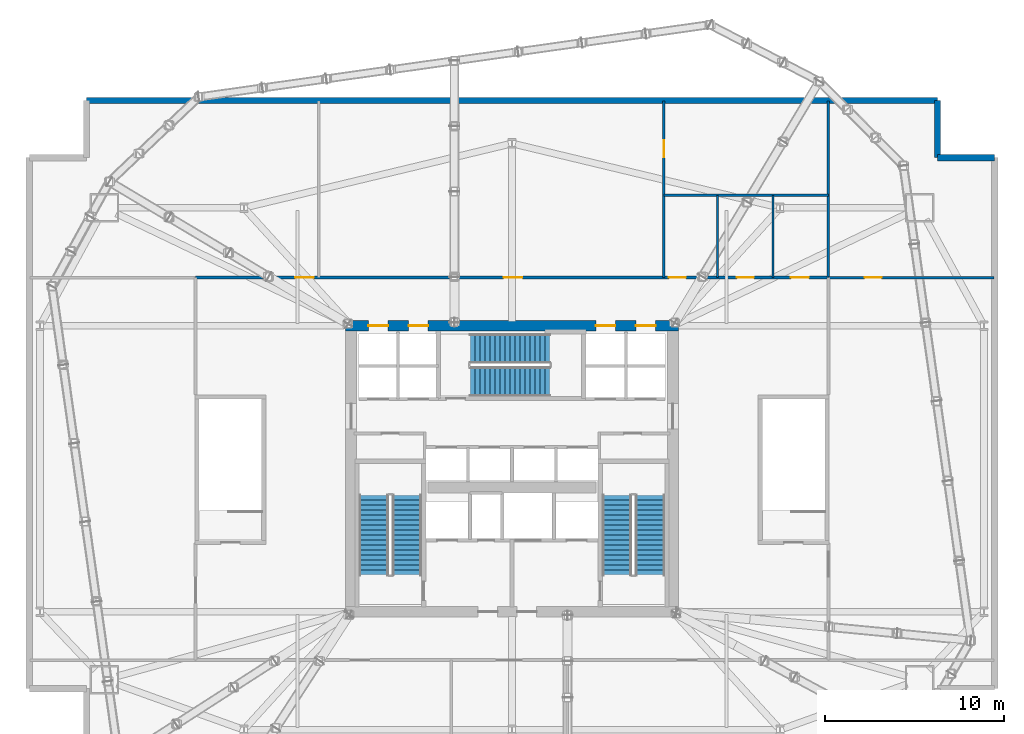
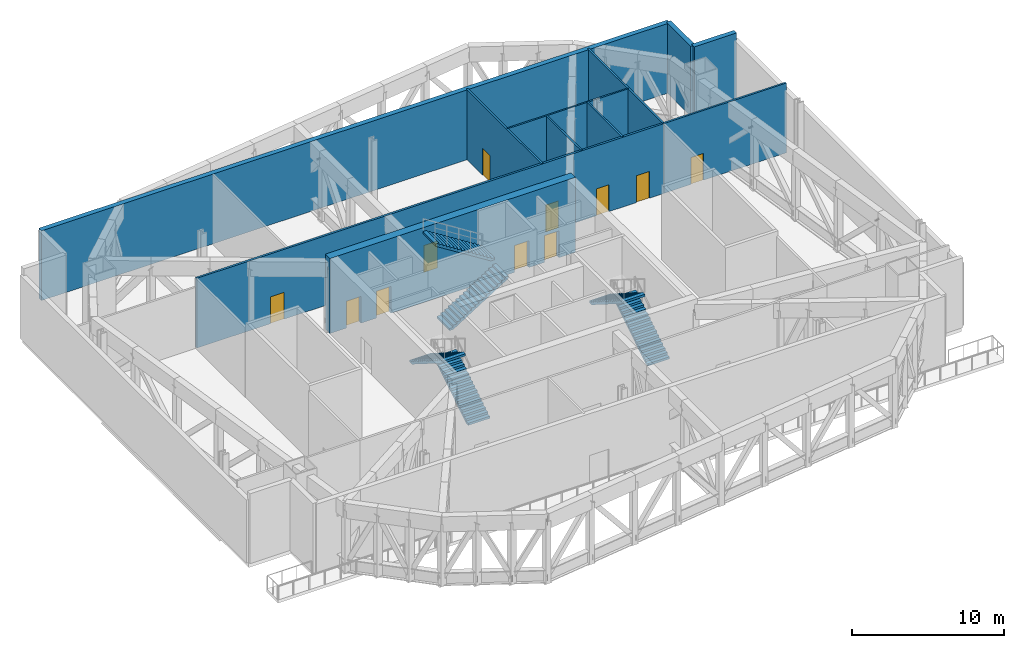
# One storey, part 12 of 15: 11 doors, 11 walls, 6 stair flights, 11 openings, 3 elements without a shape of their own.
"""IFC4 building model written with IfcOpenShell, lengths in metres."""

from ifc_helpers import new_model, si_unit, direction, frame, frame_2d, origin, place, context, subcontext, project, spatial, polyline, rectangle, outline, extrude, material, layer, layer_set, type_object, element, fill, aggregate, save


model = new_model("IFC4")

# Units and contexts
model_context = context("Model", 3, precision=1e-05, world=origin(), true_north=direction((0.0, 1.0)))
body_context = subcontext(model_context, "Body", "Model", "MODEL_VIEW")
ifc_project = project(units=[si_unit("LENGTHUNIT", "METRE"), si_unit("AREAUNIT", "SQUARE_METRE"), si_unit("VOLUMEUNIT", "CUBIC_METRE"), si_unit("PLANEANGLEUNIT", "RADIAN"), si_unit("MASSUNIT", "GRAM", prefix="KILO")], contexts=[model_context])

# Site, building, storey
site_placement = place(None, origin())
site = spatial("IfcSite", under=ifc_project, at=site_placement, CompositionType="ELEMENT")
building_placement = place(site_placement, origin())
building = spatial("IfcBuilding", under=site, at=building_placement, Name="Haldenkirk Collegiate Tower", CompositionType="ELEMENT")
storey_placement = place(building_placement, frame((0.0, 0.0, 22.199951171875)))
storey = spatial("IfcBuildingStorey", under=building, at=storey_placement, Name="L04", CompositionType="ELEMENT", Elevation=22.199951171875)

# Wall, openings, doors
ifc_material_1 = material(Name="Concrete f'c 70 MPa", Category="concrete")
ifc_layer_1 = layer(ifc_material_1, 0.60009765625)
ifc_layer_set_1 = layer_set([ifc_layer_1], Name="Concrete f'c 70 MPa")
wall_type_1 = type_object("IfcWallType", Name="WL-CORE-600", PredefinedType="SHEAR", material=ifc_layer_set_1)
wall_1_placement = place(storey_placement, frame((26.699951171875, 34.0, 0.0), z_axis=(0.0, 0.0, 1.0), x_axis=(1.0, 0.0, 0.0)))
wall_1 = element("IfcWall", 1, at=wall_1_placement, inside=storey, type_object=wall_type_1, Name="L04 central core shear wall N", PredefinedType="SHEAR", context=body_context, shape_type="SweptSolid", body=[
    extrude(rectangle(XDim=18.60009765625, YDim=0.60009765625, at=frame_2d((9.300048828125, 0.0))), origin(), (0.0, 0.0, 1.0), 6.0),
])
opening_1_placement = place(wall_1_placement, frame((1.264892578125, 0.0, 0.0)))
opening_1 = element("IfcOpeningElement", 2, at=opening_1_placement, cuts=wall_1, Name="Opening LD-11", PredefinedType="OPENING", context=body_context, shape_type="SweptSolid", body=[
    extrude(rectangle(XDim=1.10009765625, YDim=2.14990234375, at=frame_2d((0.550048828125, 1.074951171875))), frame((0.0, 0.31005859375, 0.0), z_axis=(0.0, -1.0, 0.0), x_axis=(1.0, 0.0, 0.0)), (0.0, 0.0, 1.0), 0.6201171875),
])
opening_2_placement = place(wall_1_placement, frame((3.514892578125, 0.0, 0.0)))
opening_2 = element("IfcOpeningElement", 3, at=opening_2_placement, cuts=wall_1, Name="Opening LD-11", PredefinedType="OPENING", context=body_context, shape_type="SweptSolid", body=[
    extrude(rectangle(XDim=1.10009765625, YDim=2.14990234375, at=frame_2d((0.550048828125, 1.074951171875))), frame((0.0, 0.31005859375, 0.0), z_axis=(0.0, -1.0, 0.0), x_axis=(1.0, 0.0, 0.0)), (0.0, 0.0, 1.0), 0.6201171875),
])
opening_3_placement = place(wall_1_placement, frame((13.985107421875, 0.0, 0.0)))
opening_3 = element("IfcOpeningElement", 4, at=opening_3_placement, cuts=wall_1, Name="Opening LD-11", PredefinedType="OPENING", context=body_context, shape_type="SweptSolid", body=[
    extrude(rectangle(XDim=1.10009765625, YDim=2.14990234375, at=frame_2d((0.550048828125, 1.074951171875))), frame((0.0, 0.31005859375, 0.0), z_axis=(0.0, -1.0, 0.0), x_axis=(1.0, 0.0, 0.0)), (0.0, 0.0, 1.0), 0.6201171875),
])
opening_4_placement = place(wall_1_placement, frame((16.235107421875, 0.0, 0.0)))
opening_4 = element("IfcOpeningElement", 5, at=opening_4_placement, cuts=wall_1, Name="Opening LD-11", PredefinedType="OPENING", context=body_context, shape_type="SweptSolid", body=[
    extrude(rectangle(XDim=1.10009765625, YDim=2.14990234375, at=frame_2d((0.550048828125, 1.074951171875))), frame((0.0, 0.31005859375, 0.0), z_axis=(0.0, -1.0, 0.0), x_axis=(1.0, 0.0, 0.0)), (0.0, 0.0, 1.0), 0.6201171875),
])
ifc_material_2 = material(Name="Brushed architectural stainless steel", Category="steel")
ifc_layer_2 = layer(ifc_material_2, 0.06005859375)
ifc_layer_set_2 = layer_set([ifc_layer_2], Name="Brushed architectural stainless steel")
door_type_1 = type_object("IfcDoorType", Name="LD-PASS-1100", OperationType="NOTDEFINED", PredefinedType="DOOR", material=ifc_layer_set_2)
door_1_placement = place(opening_1_placement, origin())
door_1 = element("IfcDoor", 6, at=door_1_placement, inside=storey, type_object=door_type_1, Name="L04 Elevator PL3 sliding landing door", OperationType="SLIDING_TO_LEFT", OverallHeight=2.14990234375, OverallWidth=1.10009765625, PredefinedType="DOOR", context=body_context, shape_type="SweptSolid", body=[
    extrude(rectangle(XDim=1.10009765625, YDim=2.14990234375, at=frame_2d((0.550048828125, 1.074951171875))), frame((0.0, 0.02490234375, 0.0), z_axis=(0.0, -1.0, 0.0), x_axis=(1.0, 0.0, 0.0)), (0.0, 0.0, 1.0), 0.050048828125),
])
fill(opening_1, door_1)
door_2_placement = place(opening_2_placement, origin())
door_2 = element("IfcDoor", 7, at=door_2_placement, inside=storey, type_object=door_type_1, Name="L04 Elevator PL4 sliding landing door", OperationType="SLIDING_TO_LEFT", OverallHeight=2.14990234375, OverallWidth=1.10009765625, PredefinedType="DOOR", context=body_context, shape_type="SweptSolid", body=[
    extrude(rectangle(XDim=1.10009765625, YDim=2.14990234375, at=frame_2d((0.550048828125, 1.074951171875))), frame((0.0, 0.02490234375, 0.0), z_axis=(0.0, -1.0, 0.0), x_axis=(1.0, 0.0, 0.0)), (0.0, 0.0, 1.0), 0.050048828125),
])
fill(opening_2, door_2)
door_3_placement = place(opening_3_placement, origin())
door_3 = element("IfcDoor", 8, at=door_3_placement, inside=storey, type_object=door_type_1, Name="L04 Elevator PM3 sliding landing door", OperationType="SLIDING_TO_LEFT", OverallHeight=2.14990234375, OverallWidth=1.10009765625, PredefinedType="DOOR", context=body_context, shape_type="SweptSolid", body=[
    extrude(rectangle(XDim=1.10009765625, YDim=2.14990234375, at=frame_2d((0.550048828125, 1.074951171875))), frame((0.0, 0.02490234375, 0.0), z_axis=(0.0, -1.0, 0.0), x_axis=(1.0, 0.0, 0.0)), (0.0, 0.0, 1.0), 0.050048828125),
])
fill(opening_3, door_3)
door_4_placement = place(opening_4_placement, origin())
door_4 = element("IfcDoor", 9, at=door_4_placement, inside=storey, type_object=door_type_1, Name="L04 Elevator PM4 sliding landing door", OperationType="SLIDING_TO_LEFT", OverallHeight=2.14990234375, OverallWidth=1.10009765625, PredefinedType="DOOR", context=body_context, shape_type="SweptSolid", body=[
    extrude(rectangle(XDim=1.10009765625, YDim=2.14990234375, at=frame_2d((0.550048828125, 1.074951171875))), frame((0.0, 0.02490234375, 0.0), z_axis=(0.0, -1.0, 0.0), x_axis=(1.0, 0.0, 0.0)), (0.0, 0.0, 1.0), 0.050048828125),
])
fill(opening_4, door_4)

# Walls
ifc_material_3 = material(Name="Precast concrete f'c 40 MPa", Category="concrete")
ifc_layer_3 = layer(ifc_material_3, 0.360107421875)
ifc_layer_set_3 = layer_set([ifc_layer_3], Name="Precast concrete f'c 40 MPa")
wall_type_2 = type_object("IfcWallType", Name="WL-EXT-POD-360", PredefinedType="STANDARD", material=ifc_layer_set_3)
wall_2_placement = place(storey_placement, frame((59.800048828125, 43.39990234375, 0.0), z_axis=(0.0, 0.0, 1.0), x_axis=(1.0, 0.0, 0.0)))
element("IfcWall", 10, at=wall_2_placement, inside=storey, type_object=wall_type_2, Name="L04 podium bronze precast wall 05", PredefinedType="STANDARD", context=body_context, shape_type="SweptSolid", body=[
    extrude(rectangle(XDim=3.199951171875, YDim=0.360107421875, at=frame_2d((1.60009765625, 0.0))), origin(), (0.0, 0.0, 1.0), 5.590087890625),
])
wall_3_placement = place(storey_placement, frame((59.800048828125, 46.60009765625, 0.0), z_axis=(0.0, 0.0, 1.0), x_axis=(0.0, -1.0, 0.0)))
element("IfcWall", 11, at=wall_3_placement, inside=storey, type_object=wall_type_2, Name="L04 podium bronze precast wall 06", PredefinedType="STANDARD", context=body_context, shape_type="SweptSolid", body=[
    extrude(rectangle(XDim=3.2001953125, YDim=0.360107421875, at=frame_2d((1.60009765625, 0.0))), origin(), (0.0, 0.0, 1.0), 5.590087890625),
])
wall_4_placement = place(storey_placement, frame((12.199951171875, 46.60009765625, 0.0), z_axis=(0.0, 0.0, 1.0), x_axis=(1.0, 0.0, 0.0)))
element("IfcWall", 12, at=wall_4_placement, inside=storey, type_object=wall_type_2, Name="L04 podium bronze precast wall 07", PredefinedType="STANDARD", context=body_context, shape_type="SweptSolid", body=[
    extrude(rectangle(XDim=47.60009765625, YDim=0.360107421875, at=frame_2d((23.800048828125, 0.0))), origin(), (0.0, 0.0, 1.0), 5.590087890625),
])

# Wall, openings, doors
ifc_material_4 = material(Name="Acoustic fire-rated gypsum partition", Category="concrete")
ifc_layer_4 = layer(ifc_material_4, 0.159912109375)
ifc_layer_set_4 = layer_set([ifc_layer_4], Name="Acoustic fire-rated gypsum partition")
wall_type_3 = type_object("IfcWallType", Name="WL-INT-CORR-160", PredefinedType="PARTITIONING", material=ifc_layer_set_4)
wall_5_placement = place(storey_placement, frame((18.300048828125, 36.699951171875, 0.0), z_axis=(0.0, 0.0, 1.0), x_axis=(1.0, 0.0, 0.0)))
wall_5 = element("IfcWall", 13, at=wall_5_placement, inside=storey, type_object=wall_type_3, Name="L04 interior partition IW-L04-CN", PredefinedType="PARTITIONING", context=body_context, shape_type="SweptSolid", body=[
    extrude(rectangle(XDim=35.39990234375, YDim=0.159912109375, at=frame_2d((17.699951171875, 0.0))), origin(), (0.0, 0.0, 1.0), 5.590087890625),
])
opening_5_placement = place(wall_5_placement, frame((5.570068359375, 0.0, 0.0)))
opening_5 = element("IfcOpeningElement", 14, at=opening_5_placement, cuts=wall_5, Name="Opening D-09", PredefinedType="OPENING", context=body_context, shape_type="SweptSolid", body=[
    extrude(rectangle(XDim=1.050048828125, YDim=2.14990234375, at=frame_2d((0.52490234375, 1.074951171875))), frame((0.0, 0.08984375, 0.0), z_axis=(0.0, -1.0, 0.0), x_axis=(1.0, 0.0, 0.0)), (0.0, 0.0, 1.0), 0.179931640625),
])
opening_6_placement = place(wall_5_placement, frame((17.22509765625, 0.0, 0.0)))
opening_6 = element("IfcOpeningElement", 15, at=opening_6_placement, cuts=wall_5, Name="Opening D-09", PredefinedType="OPENING", context=body_context, shape_type="SweptSolid", body=[
    extrude(rectangle(XDim=1.050048828125, YDim=2.14990234375, at=frame_2d((0.52490234375, 1.074951171875))), frame((0.0, 0.08984375, 0.0), z_axis=(0.0, -1.0, 0.0), x_axis=(1.0, 0.0, 0.0)), (0.0, 0.0, 1.0), 0.179931640625),
])
opening_7_placement = place(wall_5_placement, frame((26.47998046875, 0.0, 0.0)))
opening_7 = element("IfcOpeningElement", 16, at=opening_7_placement, cuts=wall_5, Name="Opening D-12", PredefinedType="OPENING", context=body_context, shape_type="SweptSolid", body=[
    extrude(rectangle(XDim=0.949951171875, YDim=2.14990234375, at=frame_2d((0.47509765625, 1.074951171875))), frame((0.0, 0.08984375, 0.0), z_axis=(0.0, -1.0, 0.0), x_axis=(1.0, 0.0, 0.0)), (0.0, 0.0, 1.0), 0.179931640625),
])
opening_8_placement = place(wall_5_placement, frame((30.27490234375, 0.0, 0.0)))
opening_8 = element("IfcOpeningElement", 17, at=opening_8_placement, cuts=wall_5, Name="Opening D-12", PredefinedType="OPENING", context=body_context, shape_type="SweptSolid", body=[
    extrude(rectangle(XDim=0.949951171875, YDim=2.14990234375, at=frame_2d((0.47509765625, 1.074951171875))), frame((0.0, 0.08984375, 0.0), z_axis=(0.0, -1.0, 0.0), x_axis=(1.0, 0.0, 0.0)), (0.0, 0.0, 1.0), 0.179931640625),
])
opening_9_placement = place(wall_5_placement, frame((33.300048828125, 0.0, 0.0)))
opening_9 = element("IfcOpeningElement", 18, at=opening_9_placement, cuts=wall_5, Name="Opening D-14", PredefinedType="OPENING", context=body_context, shape_type="SweptSolid", body=[
    extrude(rectangle(XDim=1.0, YDim=2.14990234375, at=frame_2d((0.5, 1.074951171875))), frame((0.0, 0.08984375, 0.0), z_axis=(0.0, -1.0, 0.0), x_axis=(1.0, 0.0, 0.0)), (0.0, 0.0, 1.0), 0.179931640625),
])
ifc_material_5 = material(Name="Solid-core architectural oak fire door", Category="wood")
ifc_layer_5 = layer(ifc_material_5, 0.06005859375)
ifc_layer_set_5 = layer_set([ifc_layer_5], Name="Solid-core architectural oak fire door")
door_type_2 = type_object("IfcDoorType", Name="DR-INT-ACC-1000", OperationType="NOTDEFINED", PredefinedType="DOOR", material=ifc_layer_set_5)
door_5_placement = place(opening_9_placement, origin())
door_5 = element("IfcDoor", 19, at=door_5_placement, inside=storey, type_object=door_type_2, Name="L04 Accessible WC door", OperationType="SINGLE_SWING_RIGHT", OverallHeight=2.14990234375, OverallWidth=1.0, PredefinedType="DOOR", context=body_context, shape_type="SweptSolid", body=[
    extrude(rectangle(XDim=1.0, YDim=2.14990234375, at=frame_2d((0.5, 1.074951171875))), frame((0.0, 0.02490234375, 0.0), z_axis=(0.0, -1.0, 0.0), x_axis=(1.0, 0.0, 0.0)), (0.0, 0.0, 1.0), 0.050048828125),
])
fill(opening_9, door_5)
ifc_layer_6 = layer(ifc_material_5, 0.06005859375)
ifc_layer_set_6 = layer_set([ifc_layer_6], Name="Solid-core architectural oak fire door")
door_type_3 = type_object("IfcDoorType", Name="DR-INT-FD60-1050", OperationType="NOTDEFINED", PredefinedType="DOOR", material=ifc_layer_set_6)
door_6_placement = place(opening_5_placement, origin())
door_6 = element("IfcDoor", 20, at=door_6_placement, inside=storey, type_object=door_type_3, Name="L04 north-west door", OperationType="SINGLE_SWING_LEFT", OverallHeight=2.14990234375, OverallWidth=1.050048828125, PredefinedType="DOOR", context=body_context, shape_type="SweptSolid", body=[
    extrude(rectangle(XDim=1.050048828125, YDim=2.14990234375, at=frame_2d((0.52490234375, 1.074951171875))), frame((0.0, 0.02490234375, 0.0), z_axis=(0.0, -1.0, 0.0), x_axis=(1.0, 0.0, 0.0)), (0.0, 0.0, 1.0), 0.050048828125),
])
fill(opening_5, door_6)
door_7_placement = place(opening_6_placement, origin())
door_7 = element("IfcDoor", 21, at=door_7_placement, inside=storey, type_object=door_type_3, Name="L04 north door", OperationType="SINGLE_SWING_RIGHT", OverallHeight=2.14990234375, OverallWidth=1.050048828125, PredefinedType="DOOR", context=body_context, shape_type="SweptSolid", body=[
    extrude(rectangle(XDim=1.050048828125, YDim=2.14990234375, at=frame_2d((0.52490234375, 1.074951171875))), frame((0.0, 0.02490234375, 0.0), z_axis=(0.0, -1.0, 0.0), x_axis=(1.0, 0.0, 0.0)), (0.0, 0.0, 1.0), 0.050048828125),
])
fill(opening_6, door_7)
ifc_layer_7 = layer(ifc_material_5, 0.06005859375)
ifc_layer_set_7 = layer_set([ifc_layer_7], Name="Solid-core architectural oak fire door")
door_type_4 = type_object("IfcDoorType", Name="DR-INT-STD-950", OperationType="NOTDEFINED", PredefinedType="DOOR", material=ifc_layer_set_7)
door_8_placement = place(opening_7_placement, origin())
door_8 = element("IfcDoor", 22, at=door_8_placement, inside=storey, type_object=door_type_4, Name="L04 Male WC door", OperationType="SINGLE_SWING_RIGHT", OverallHeight=2.14990234375, OverallWidth=0.949951171875, PredefinedType="DOOR", context=body_context, shape_type="SweptSolid", body=[
    extrude(rectangle(XDim=0.949951171875, YDim=2.14990234375, at=frame_2d((0.47509765625, 1.074951171875))), frame((0.0, 0.02490234375, 0.0), z_axis=(0.0, -1.0, 0.0), x_axis=(1.0, 0.0, 0.0)), (0.0, 0.0, 1.0), 0.050048828125),
])
fill(opening_7, door_8)
door_9_placement = place(opening_8_placement, origin())
door_9 = element("IfcDoor", 23, at=door_9_placement, inside=storey, type_object=door_type_4, Name="L04 Female WC door", OperationType="SINGLE_SWING_LEFT", OverallHeight=2.14990234375, OverallWidth=0.949951171875, PredefinedType="DOOR", context=body_context, shape_type="SweptSolid", body=[
    extrude(rectangle(XDim=0.949951171875, YDim=2.14990234375, at=frame_2d((0.47509765625, 1.074951171875))), frame((0.0, 0.02490234375, 0.0), z_axis=(0.0, -1.0, 0.0), x_axis=(1.0, 0.0, 0.0)), (0.0, 0.0, 1.0), 0.050048828125),
])
fill(opening_8, door_9)

# Wall, opening, door
ifc_layer_8 = layer(ifc_material_4, 0.139892578125)
ifc_layer_set_8 = layer_set([ifc_layer_8], Name="Acoustic fire-rated gypsum partition")
wall_type_4 = type_object("IfcWallType", Name="WL-INT-DIV-140", PredefinedType="PARTITIONING", material=ifc_layer_set_8)
wall_6_placement = place(storey_placement, frame((53.699951171875, 36.699951171875, 0.0), z_axis=(0.0, 0.0, 1.0), x_axis=(1.0, 0.0, 0.0)))
wall_6 = element("IfcWall", 24, at=wall_6_placement, inside=storey, type_object=wall_type_4, Name="L04 interior partition IW-L04-ECN1", PredefinedType="PARTITIONING", context=body_context, shape_type="SweptSolid", body=[
    extrude(rectangle(XDim=9.260009765625, YDim=0.139892578125, at=frame_2d((4.6298828125, 0.0))), origin(), (0.0, 0.0, 1.0), 5.590087890625),
])
opening_10_placement = place(wall_6_placement, frame((2.02490234375, 0.0, 0.0)))
opening_10 = element("IfcOpeningElement", 25, at=opening_10_placement, cuts=wall_6, Name="Opening D-12", PredefinedType="OPENING", context=body_context, shape_type="SweptSolid", body=[
    extrude(rectangle(XDim=0.949951171875, YDim=2.14990234375, at=frame_2d((0.47509765625, 1.074951171875))), frame((0.0, 0.079833984375, 0.0), z_axis=(0.0, -1.0, 0.0), x_axis=(1.0, 0.0, 0.0)), (0.0, 0.0, 1.0), 0.159912109375),
])
door_10_placement = place(opening_10_placement, origin())
door_10 = element("IfcDoor", 26, at=door_10_placement, inside=storey, type_object=door_type_4, Name="L04 north-east door", OperationType="SINGLE_SWING_LEFT", OverallHeight=2.14990234375, OverallWidth=0.949951171875, PredefinedType="DOOR", context=body_context, shape_type="SweptSolid", body=[
    extrude(rectangle(XDim=0.949951171875, YDim=2.14990234375, at=frame_2d((0.47509765625, 1.074951171875))), frame((0.0, 0.02490234375, 0.0), z_axis=(0.0, -1.0, 0.0), x_axis=(1.0, 0.0, 0.0)), (0.0, 0.0, 1.0), 0.050048828125),
])
fill(opening_10, door_10)

wall_7_placement = place(storey_placement, frame((44.5, 36.699951171875, 0.0), z_axis=(0.0, 0.0, 1.0), x_axis=(0.0, 1.0, 0.0)))
wall_7 = element("IfcWall", 27, at=wall_7_placement, inside=storey, type_object=wall_type_4, Name="L04 interior partition IW-L04-ND2", PredefinedType="PARTITIONING", context=body_context, shape_type="SweptSolid", body=[
    extrude(rectangle(XDim=9.860107421875, YDim=0.139892578125, at=frame_2d((4.93017578125, 0.0))), origin(), (0.0, 0.0, 1.0), 5.590087890625),
])
opening_11_placement = place(wall_7_placement, frame((6.72509765625, 0.0, 0.0)))
opening_11 = element("IfcOpeningElement", 28, at=opening_11_placement, cuts=wall_7, Name="Opening D-12", PredefinedType="OPENING", context=body_context, shape_type="SweptSolid", body=[
    extrude(rectangle(XDim=0.949951171875, YDim=2.14990234375, at=frame_2d((0.47509765625, 1.074951171875))), frame((0.0, 0.079833984375, 0.0), z_axis=(0.0, -1.0, 0.0), x_axis=(1.0, 0.0, 0.0)), (0.0, 0.0, 1.0), 0.159912109375),
])
door_11_placement = place(opening_11_placement, origin())
door_11 = element("IfcDoor", 29, at=door_11_placement, inside=storey, type_object=door_type_4, Name="L04 north study door", OperationType="SINGLE_SWING_LEFT", OverallHeight=2.14990234375, OverallWidth=0.949951171875, PredefinedType="DOOR", context=body_context, shape_type="SweptSolid", body=[
    extrude(rectangle(XDim=0.949951171875, YDim=2.14990234375, at=frame_2d((0.47509765625, 1.074951171875))), frame((0.0, 0.02490234375, 0.0), z_axis=(0.0, -1.0, 0.0), x_axis=(1.0, 0.0, 0.0)), (0.0, 0.0, 1.0), 0.050048828125),
])
fill(opening_11, door_11)

# Walls
wall_8_placement = place(storey_placement, frame((53.699951171875, 36.699951171875, 0.0), z_axis=(0.0, 0.0, 1.0), x_axis=(0.0, 1.0, 0.0)))
element("IfcWall", 30, at=wall_8_placement, inside=storey, type_object=wall_type_4, Name="L04 interior partition IW-L04-WCE", PredefinedType="PARTITIONING", context=body_context, shape_type="SweptSolid", body=[
    extrude(rectangle(XDim=9.860107421875, YDim=0.139892578125, at=frame_2d((4.93017578125, 0.0))), origin(), (0.0, 0.0, 1.0), 5.590087890625),
])
ifc_layer_9 = layer(ifc_material_4, 0.1201171875)
ifc_layer_set_9 = layer_set([ifc_layer_9], Name="Acoustic fire-rated gypsum partition")
wall_type_5 = type_object("IfcWallType", Name="WL-INT-WET-120", PredefinedType="PARTITIONING", material=ifc_layer_set_9)
for number, where, z_axis, x_axis, name in (
    (31, (47.5, 36.699951171875, 0.0), (0.0, 0.0, 1.0), (0.0, 1.0, 0.0), "L04 interior partition IW-L04-WCV1"),
    (32, (50.60009765625, 36.699951171875, 0.0), (0.0, 0.0, 1.0), (0.0, 1.0, 0.0), "L04 interior partition IW-L04-WCV2"),
):
    element("IfcWall", number, at=place(storey_placement, frame(where, z_axis=z_axis, x_axis=x_axis)), inside=storey, type_object=wall_type_5, Name=name, PredefinedType="PARTITIONING", context=body_context, shape_type="SweptSolid", body=[
        extrude(rectangle(XDim=4.60009765625, YDim=0.1201171875, at=frame_2d((2.300048828125, 0.0))), origin(), (0.0, 0.0, 1.0), 5.590087890625),
    ])
wall_9_placement = place(storey_placement, frame((44.5, 41.300048828125, 0.0), z_axis=(0.0, 0.0, 1.0), x_axis=(1.0, 0.0, 0.0)))
element("IfcWall", 33, at=wall_9_placement, inside=storey, type_object=wall_type_5, Name="L04 interior partition IW-L04-WCNB", PredefinedType="PARTITIONING", context=body_context, shape_type="SweptSolid", body=[
    extrude(rectangle(XDim=9.199951171875, YDim=0.1201171875, at=frame_2d((4.60009765625, 0.0))), origin(), (0.0, 0.0, 1.0), 5.590087890625),
])

# Stair, stair flights
ifc_material_6 = material(Name="Concrete f'c 40 MPa", Category="concrete")
stair_type = type_object("IfcStairType", Name="STR-DOGLEG-1650", PredefinedType="HALF_TURN_STAIR", material=ifc_material_6)
stair_1_placement = place(storey_placement, origin())
stair_1 = element("IfcStair", 34, at=stair_1_placement, inside=storey, type_object=stair_type, Name="L04 Core Exit Stair ST-1", PredefinedType="HALF_TURN_STAIR")
stair_flight_type = type_object("IfcStairFlightType", Name="STF-FLIGHT-1650", PredefinedType="STRAIGHT", material=ifc_material_6)
stair_flight_1_placement = place(storey_placement, frame((30.125, 20.050048828125, 0.0), z_axis=(0.0, 0.0, 1.0), x_axis=(0.0, 1.0, 0.0)))
stair_flight_1 = element("IfcStairFlight", 35, at=stair_flight_1_placement, type_object=stair_flight_type, Name="ST-1 flight 1", NumberOfRisers=17, NumberOfTreads=16, PredefinedType="STRAIGHT", RiserHeight=0.176470588, TreadLength=0.28, context=body_context, shape_type="SweptSolid", body=[
    extrude(outline(polyline([(0.0, 0.0), (0.0, 0.176513671875), (0.280029296875, 0.176513671875), (0.280029296875, 0.35302734375), (0.56005859375, 0.35302734375), (0.56005859375, 0.529296875), (0.840087890625, 0.529296875), (0.840087890625, 0.705810546875), (1.1201171875, 0.705810546875), (1.1201171875, 0.88232421875), (1.39990234375, 0.88232421875), (1.39990234375, 1.058837890625), (1.679931640625, 1.058837890625), (1.679931640625, 1.2353515625), (1.9599609375, 1.2353515625), (1.9599609375, 1.411865234375), (2.239990234375, 1.411865234375), (2.239990234375, 1.588134765625), (2.52001953125, 1.588134765625), (2.52001953125, 1.7646484375), (2.800048828125, 1.7646484375), (2.800048828125, 1.941162109375), (3.080078125, 1.941162109375), (3.080078125, 2.11767578125), (3.360107421875, 2.11767578125), (3.360107421875, 2.294189453125), (3.639892578125, 2.294189453125), (3.639892578125, 2.470703125), (3.919921875, 2.470703125), (3.919921875, 2.64697265625), (4.199951171875, 2.64697265625), (4.199951171875, 2.823486328125), (4.47998046875, 2.823486328125), (4.47998046875, 3.0), (4.47998046875, 2.646240234375), (0.28125, 0.0), (0.0, 0.0)])), frame((0.0, 0.824951171875, 0.0), z_axis=(0.0, -1.0, 0.0), x_axis=(1.0, 0.0, 0.0)), (0.0, 0.0, 1.0), 1.64990234375),
])
stair_flight_2_placement = place(storey_placement, frame((28.27490234375, 24.530029296875, 3.0), z_axis=(0.0, 0.0, 1.0), x_axis=(0.0, -1.0, 0.0)))
stair_flight_2 = element("IfcStairFlight", 36, at=stair_flight_2_placement, type_object=stair_flight_type, Name="ST-1 flight 2", NumberOfRisers=17, NumberOfTreads=16, PredefinedType="STRAIGHT", RiserHeight=0.176470588, TreadLength=0.28, context=body_context, shape_type="SweptSolid", body=[
    extrude(outline(polyline([(0.0, 0.0), (0.0, 0.176513671875), (0.280029296875, 0.176513671875), (0.280029296875, 0.35302734375), (0.56005859375, 0.35302734375), (0.56005859375, 0.529296875), (0.840087890625, 0.529296875), (0.840087890625, 0.705810546875), (1.1201171875, 0.705810546875), (1.1201171875, 0.88232421875), (1.39990234375, 0.88232421875), (1.39990234375, 1.058837890625), (1.679931640625, 1.058837890625), (1.679931640625, 1.2353515625), (1.9599609375, 1.2353515625), (1.9599609375, 1.411865234375), (2.239990234375, 1.411865234375), (2.239990234375, 1.588134765625), (2.52001953125, 1.588134765625), (2.52001953125, 1.7646484375), (2.800048828125, 1.7646484375), (2.800048828125, 1.941162109375), (3.080078125, 1.941162109375), (3.080078125, 2.11767578125), (3.360107421875, 2.11767578125), (3.360107421875, 2.294189453125), (3.639892578125, 2.294189453125), (3.639892578125, 2.470703125), (3.919921875, 2.470703125), (3.919921875, 2.64697265625), (4.199951171875, 2.64697265625), (4.199951171875, 2.823486328125), (4.47998046875, 2.823486328125), (4.47998046875, 3.0), (4.47998046875, 2.646240234375), (0.28125, 0.0), (0.0, 0.0)])), frame((0.0, 0.824951171875, 0.0), z_axis=(0.0, -1.0, 0.0), x_axis=(1.0, 0.0, 0.0)), (0.0, 0.0, 1.0), 1.64990234375),
])
aggregate(stair_1, [stair_flight_1, stair_flight_2])

stair_2_placement = place(storey_placement, origin())
stair_2 = element("IfcStair", 37, at=stair_2_placement, inside=storey, type_object=stair_type, Name="L04 Core Exit Stair ST-2", PredefinedType="HALF_TURN_STAIR")
stair_flight_3_placement = place(storey_placement, frame((43.72509765625, 20.050048828125, 0.0), z_axis=(0.0, 0.0, 1.0), x_axis=(0.0, 1.0, 0.0)))
stair_flight_3 = element("IfcStairFlight", 38, at=stair_flight_3_placement, type_object=stair_flight_type, Name="ST-2 flight 1", NumberOfRisers=17, NumberOfTreads=16, PredefinedType="STRAIGHT", RiserHeight=0.176470588, TreadLength=0.28, context=body_context, shape_type="SweptSolid", body=[
    extrude(outline(polyline([(0.0, 0.0), (0.0, 0.176513671875), (0.280029296875, 0.176513671875), (0.280029296875, 0.35302734375), (0.56005859375, 0.35302734375), (0.56005859375, 0.529296875), (0.840087890625, 0.529296875), (0.840087890625, 0.705810546875), (1.1201171875, 0.705810546875), (1.1201171875, 0.88232421875), (1.39990234375, 0.88232421875), (1.39990234375, 1.058837890625), (1.679931640625, 1.058837890625), (1.679931640625, 1.2353515625), (1.9599609375, 1.2353515625), (1.9599609375, 1.411865234375), (2.239990234375, 1.411865234375), (2.239990234375, 1.588134765625), (2.52001953125, 1.588134765625), (2.52001953125, 1.7646484375), (2.800048828125, 1.7646484375), (2.800048828125, 1.941162109375), (3.080078125, 1.941162109375), (3.080078125, 2.11767578125), (3.360107421875, 2.11767578125), (3.360107421875, 2.294189453125), (3.639892578125, 2.294189453125), (3.639892578125, 2.470703125), (3.919921875, 2.470703125), (3.919921875, 2.64697265625), (4.199951171875, 2.64697265625), (4.199951171875, 2.823486328125), (4.47998046875, 2.823486328125), (4.47998046875, 3.0), (4.47998046875, 2.646240234375), (0.28125, 0.0), (0.0, 0.0)])), frame((0.0, 0.824951171875, 0.0), z_axis=(0.0, -1.0, 0.0), x_axis=(1.0, 0.0, 0.0)), (0.0, 0.0, 1.0), 1.64990234375),
])
stair_flight_4_placement = place(storey_placement, frame((41.875, 24.530029296875, 3.0), z_axis=(0.0, 0.0, 1.0), x_axis=(0.0, -1.0, 0.0)))
stair_flight_4 = element("IfcStairFlight", 39, at=stair_flight_4_placement, type_object=stair_flight_type, Name="ST-2 flight 2", NumberOfRisers=17, NumberOfTreads=16, PredefinedType="STRAIGHT", RiserHeight=0.176470588, TreadLength=0.28, context=body_context, shape_type="SweptSolid", body=[
    extrude(outline(polyline([(0.0, 0.0), (0.0, 0.176513671875), (0.280029296875, 0.176513671875), (0.280029296875, 0.35302734375), (0.56005859375, 0.35302734375), (0.56005859375, 0.529296875), (0.840087890625, 0.529296875), (0.840087890625, 0.705810546875), (1.1201171875, 0.705810546875), (1.1201171875, 0.88232421875), (1.39990234375, 0.88232421875), (1.39990234375, 1.058837890625), (1.679931640625, 1.058837890625), (1.679931640625, 1.2353515625), (1.9599609375, 1.2353515625), (1.9599609375, 1.411865234375), (2.239990234375, 1.411865234375), (2.239990234375, 1.588134765625), (2.52001953125, 1.588134765625), (2.52001953125, 1.7646484375), (2.800048828125, 1.7646484375), (2.800048828125, 1.941162109375), (3.080078125, 1.941162109375), (3.080078125, 2.11767578125), (3.360107421875, 2.11767578125), (3.360107421875, 2.294189453125), (3.639892578125, 2.294189453125), (3.639892578125, 2.470703125), (3.919921875, 2.470703125), (3.919921875, 2.64697265625), (4.199951171875, 2.64697265625), (4.199951171875, 2.823486328125), (4.47998046875, 2.823486328125), (4.47998046875, 3.0), (4.47998046875, 2.646240234375), (0.28125, 0.0), (0.0, 0.0)])), frame((0.0, 0.824951171875, 0.0), z_axis=(0.0, -1.0, 0.0), x_axis=(1.0, 0.0, 0.0)), (0.0, 0.0, 1.0), 1.64990234375),
])
aggregate(stair_2, [stair_flight_3, stair_flight_4])

stair_3_placement = place(storey_placement, origin())
stair_3 = element("IfcStair", 40, at=stair_3_placement, inside=storey, type_object=stair_type, Name="L04 Core Exit Stair ST-3", PredefinedType="HALF_TURN_STAIR")
stair_flight_5_placement = place(storey_placement, frame((33.64990234375, 30.875, 0.0), z_axis=(0.0, 0.0, 1.0), x_axis=(1.0, 0.0, 0.0)))
stair_flight_5 = element("IfcStairFlight", 41, at=stair_flight_5_placement, type_object=stair_flight_type, Name="ST-3 flight 1", NumberOfRisers=17, NumberOfTreads=16, PredefinedType="STRAIGHT", RiserHeight=0.176470588, TreadLength=0.28, context=body_context, shape_type="SweptSolid", body=[
    extrude(outline(polyline([(0.0, 0.0), (0.0, 0.176513671875), (0.280029296875, 0.176513671875), (0.280029296875, 0.35302734375), (0.56005859375, 0.35302734375), (0.56005859375, 0.529296875), (0.840087890625, 0.529296875), (0.840087890625, 0.705810546875), (1.1201171875, 0.705810546875), (1.1201171875, 0.88232421875), (1.39990234375, 0.88232421875), (1.39990234375, 1.058837890625), (1.679931640625, 1.058837890625), (1.679931640625, 1.2353515625), (1.9599609375, 1.2353515625), (1.9599609375, 1.411865234375), (2.239990234375, 1.411865234375), (2.239990234375, 1.588134765625), (2.52001953125, 1.588134765625), (2.52001953125, 1.7646484375), (2.800048828125, 1.7646484375), (2.800048828125, 1.941162109375), (3.080078125, 1.941162109375), (3.080078125, 2.11767578125), (3.360107421875, 2.11767578125), (3.360107421875, 2.294189453125), (3.639892578125, 2.294189453125), (3.639892578125, 2.470703125), (3.919921875, 2.470703125), (3.919921875, 2.64697265625), (4.199951171875, 2.64697265625), (4.199951171875, 2.823486328125), (4.47998046875, 2.823486328125), (4.47998046875, 3.0), (4.47998046875, 2.646240234375), (0.28125, 0.0), (0.0, 0.0)])), frame((0.0, 0.824951171875, 0.0), z_axis=(0.0, -1.0, 0.0), x_axis=(1.0, 0.0, 0.0)), (0.0, 0.0, 1.0), 1.64990234375),
])
stair_flight_6_placement = place(storey_placement, frame((38.1298828125, 32.72509765625, 3.0), z_axis=(0.0, 0.0, 1.0), x_axis=(-1.0, 0.0, 0.0)))
stair_flight_6 = element("IfcStairFlight", 42, at=stair_flight_6_placement, type_object=stair_flight_type, Name="ST-3 flight 2", NumberOfRisers=17, NumberOfTreads=16, PredefinedType="STRAIGHT", RiserHeight=0.176470588, TreadLength=0.28, context=body_context, shape_type="SweptSolid", body=[
    extrude(outline(polyline([(0.0, 0.0), (0.0, 0.176513671875), (0.280029296875, 0.176513671875), (0.280029296875, 0.35302734375), (0.56005859375, 0.35302734375), (0.56005859375, 0.529296875), (0.840087890625, 0.529296875), (0.840087890625, 0.705810546875), (1.1201171875, 0.705810546875), (1.1201171875, 0.88232421875), (1.39990234375, 0.88232421875), (1.39990234375, 1.058837890625), (1.679931640625, 1.058837890625), (1.679931640625, 1.2353515625), (1.9599609375, 1.2353515625), (1.9599609375, 1.411865234375), (2.239990234375, 1.411865234375), (2.239990234375, 1.588134765625), (2.52001953125, 1.588134765625), (2.52001953125, 1.7646484375), (2.800048828125, 1.7646484375), (2.800048828125, 1.941162109375), (3.080078125, 1.941162109375), (3.080078125, 2.11767578125), (3.360107421875, 2.11767578125), (3.360107421875, 2.294189453125), (3.639892578125, 2.294189453125), (3.639892578125, 2.470703125), (3.919921875, 2.470703125), (3.919921875, 2.64697265625), (4.199951171875, 2.64697265625), (4.199951171875, 2.823486328125), (4.47998046875, 2.823486328125), (4.47998046875, 3.0), (4.47998046875, 2.646240234375), (0.28125, 0.0), (0.0, 0.0)])), frame((0.0, 0.824951171875, 0.0), z_axis=(0.0, -1.0, 0.0), x_axis=(1.0, 0.0, 0.0)), (0.0, 0.0, 1.0), 1.64990234375),
])
aggregate(stair_3, [stair_flight_5, stair_flight_6])

save(model, "model.ifc")
